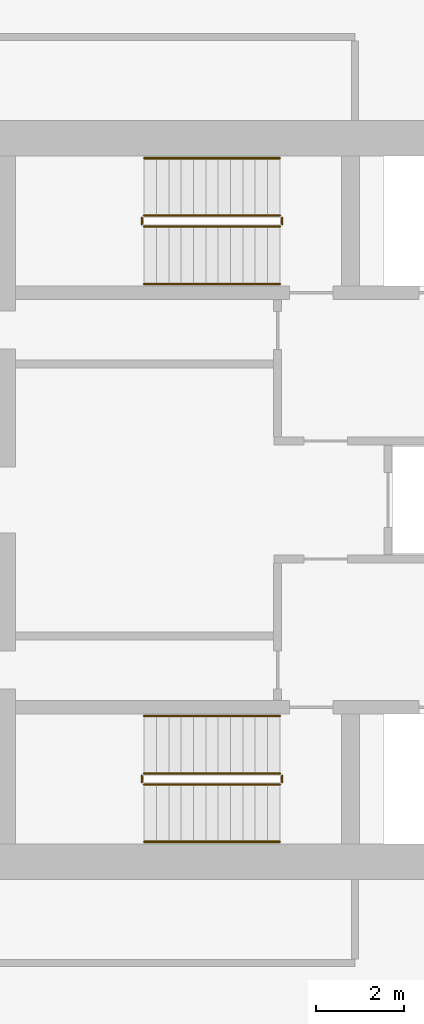
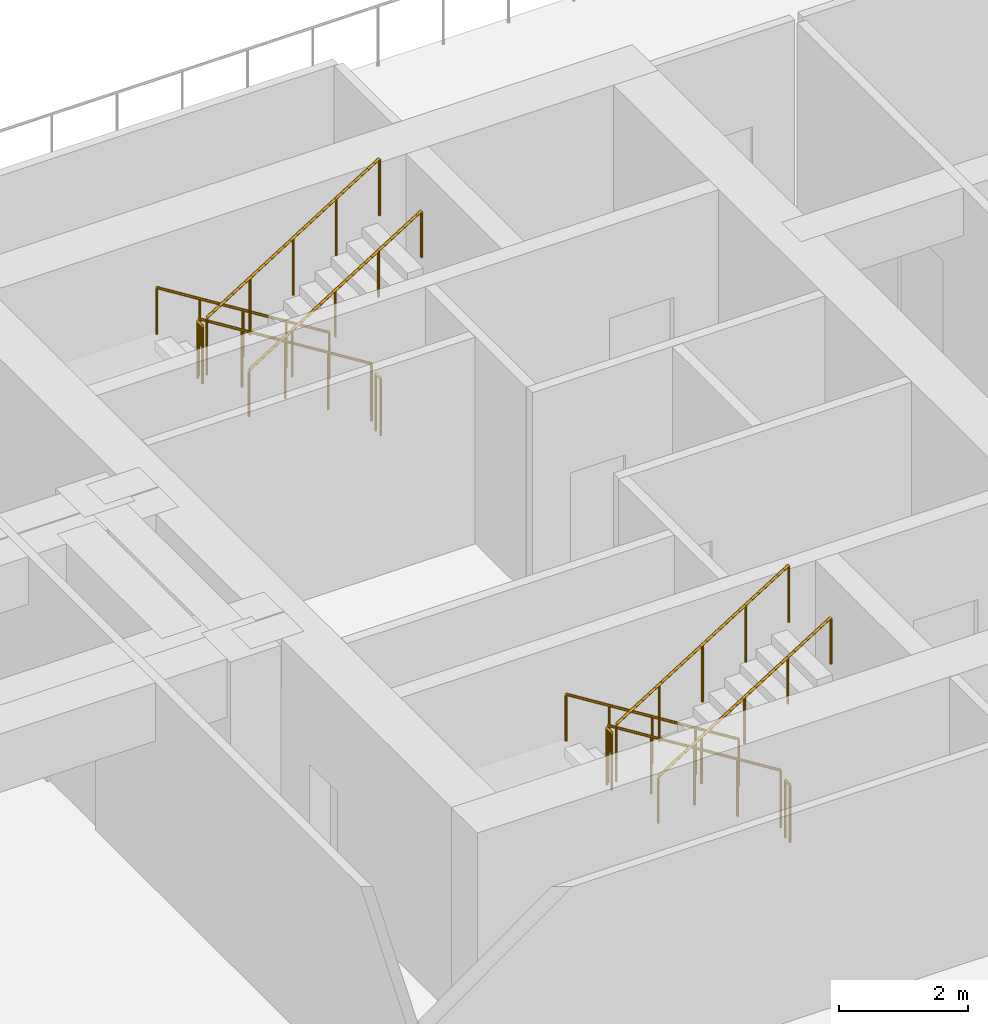
# One storey, part 9 of 10: 12 railings.
"""IFC4 building model written with IfcOpenShell, lengths in metres."""

from ifc_helpers import new_model, si_unit, direction, frame, origin, origin_2d, place, context, subcontext, project, spatial, circle, extrude, source, transform, mapped, material, type_object, element, save


model = new_model("IFC4")

# Units and contexts
model_context = context("Model", 3, precision=1e-05, world=origin(), true_north=direction((0.0, 1.0)))
body_context = subcontext(model_context, "Body", "Model", "MODEL_VIEW")
ifc_project = project(units=[si_unit("LENGTHUNIT", "METRE"), si_unit("AREAUNIT", "SQUARE_METRE"), si_unit("VOLUMEUNIT", "CUBIC_METRE"), si_unit("PLANEANGLEUNIT", "RADIAN"), si_unit("MASSUNIT", "GRAM", prefix="KILO")], contexts=[model_context])

# Site, building, storey
site_placement = place(None, origin())
site = spatial("IfcSite", under=ifc_project, at=site_placement, CompositionType="ELEMENT")
building_placement = place(site_placement, origin())
building = spatial("IfcBuilding", under=site, at=building_placement, Name="Qafzar Sky-Pleat Residences", CompositionType="ELEMENT")
storey_placement = place(building_placement, frame((0.0, 0.0, -4.199951171875)))
storey = spatial("IfcBuildingStorey", under=building, at=storey_placement, Name="B01", CompositionType="ELEMENT", Elevation=-4.199951171875)

# Railings
ifc_material_1 = material(Name="Painted Steel S355 stair guardrail", Category="steel")
railing_type_1 = type_object("IfcRailingType", Name="RAIL-STAIR-GUARD", PredefinedType="GUARDRAIL", material=ifc_material_1)
shared_shape_1 = source(origin(), body_context, "Body", "SweptSolid", [
    extrude(circle(Radius=0.02392578125, at=origin_2d()), frame((0.0, 0.0, 1.076171875), z_axis=(0.0, -1.0, 0.0), x_axis=(1.0, 0.0, 0.0)), (0.0, 0.0, 1.0), 0.14990234375),
    extrude(circle(Radius=0.02099609375, at=origin_2d()), origin(), (0.0, 0.0, 1.0), 1.052001953125),
    extrude(circle(Radius=0.02099609375, at=origin_2d()), frame((0.0, -0.14990234375, 0.0)), (0.0, 0.0, 1.0), 1.052001953125),
])
for number, where, name in (
    (1, (27.669921875, 19.75, 2.099853515625), "B01 ST1 stair guard 2"),
    (2, (30.85009765625, 19.75, 0.0), "B01 ST1 stair guard 4"),
    (3, (27.669921875, 32.39990234375, 2.099853515625), "B01 ST2 stair guard 2"),
    (4, (30.85009765625, 32.39990234375, 0.0), "B01 ST2 stair guard 4"),
):
    element("IfcRailing", number, at=place(storey_placement, frame(where)), inside=storey, type_object=railing_type_1, Name=name, PredefinedType="GUARDRAIL", context=body_context, shape_type="MappedRepresentation", body=[
        mapped(shared_shape_1, transform((0.0, 0.0, 0.0), x_axis=(1.0, 0.0, 0.0), y_axis=(0.0, 1.0, 0.0), z_axis=(0.0, 0.0, 1.0), scale=1.0)),
    ])
shared_shape_2 = source(origin(), body_context, "Body", "SweptSolid", [
    extrude(circle(Radius=0.02392578125, at=origin_2d()), frame((0.0, 0.0, 1.076171875), z_axis=(-0.848028513186, 0.0, 0.529950602248), x_axis=(0.0, -1.0, 0.0)), (0.0, 0.0, 1.0), 3.632080078125),
    extrude(circle(Radius=0.02099609375, at=origin_2d()), origin(), (0.0, 0.0, 1.0), 1.052001953125),
    extrude(circle(Radius=0.02099609375, at=origin_2d()), frame((-0.77001953125, 0.0, 0.481201171875)), (0.0, 0.0, 1.0), 1.052001953125),
    extrude(circle(Radius=0.02099609375, at=origin_2d()), frame((-1.5400390625, 0.0, 0.96240234375)), (0.0, 0.0, 1.0), 1.052001953125),
    extrude(circle(Radius=0.02099609375, at=origin_2d()), frame((-2.31005859375, 0.0, 1.443603515625)), (0.0, 0.0, 1.0), 1.052001953125),
    extrude(circle(Radius=0.02099609375, at=origin_2d()), frame((-3.080078125, 0.0, 1.9248046875)), (0.0, 0.0, 1.0), 1.052001953125),
])
for number, where, name in (
    (5, (30.800048828125, 19.800048828125, 0.175048828125), "B01 ST1 stair guard 1"),
    (6, (30.800048828125, 32.449951171875, 0.175048828125), "B01 ST2 stair guard 1"),
):
    element("IfcRailing", number, at=place(storey_placement, frame(where)), inside=storey, type_object=railing_type_1, Name=name, PredefinedType="GUARDRAIL", context=body_context, shape_type="MappedRepresentation", body=[
        mapped(shared_shape_2, transform((0.0, 0.0, 0.0), x_axis=(1.0, 0.0, 0.0), y_axis=(0.0, 1.0, 0.0), z_axis=(0.0, 0.0, 1.0), scale=1.0)),
    ])
shared_shape_3 = source(origin(), body_context, "Body", "SweptSolid", [
    extrude(circle(Radius=0.02392578125, at=origin_2d()), frame((0.0, 0.0, 1.076171875), z_axis=(0.847998304005, 0.0, 0.529998940003), x_axis=(0.0, 1.0, 0.0)), (0.0, 0.0, 1.0), 3.632080078125),
    extrude(circle(Radius=0.02099609375, at=origin_2d()), origin(), (0.0, 0.0, 1.0), 1.052001953125),
    extrude(circle(Radius=0.02099609375, at=origin_2d()), frame((0.77001953125, 0.0, 0.481201171875)), (0.0, 0.0, 1.0), 1.052001953125),
    extrude(circle(Radius=0.02099609375, at=origin_2d()), frame((1.5400390625, 0.0, 0.96240234375)), (0.0, 0.0, 1.0), 1.052001953125),
    extrude(circle(Radius=0.02099609375, at=origin_2d()), frame((2.31005859375, 0.0, 1.44384765625)), (0.0, 0.0, 1.0), 1.052001953125),
    extrude(circle(Radius=0.02099609375, at=origin_2d()), frame((3.080078125, 0.0, 1.925048828125)), (0.0, 0.0, 1.0), 1.052001953125),
])
for number, where, name in (
    (7, (27.719970703125, 19.550048828125, 2.27490234375), "B01 ST1 stair guard 3"),
    (8, (27.719970703125, 32.199951171875, 2.27490234375), "B01 ST2 stair guard 3"),
):
    element("IfcRailing", number, at=place(storey_placement, frame(where)), inside=storey, type_object=railing_type_1, Name=name, PredefinedType="GUARDRAIL", context=body_context, shape_type="MappedRepresentation", body=[
        mapped(shared_shape_3, transform((0.0, 0.0, 0.0), x_axis=(1.0, 0.0, 0.0), y_axis=(0.0, 1.0, 0.0), z_axis=(0.0, 0.0, 1.0), scale=1.0)),
    ])
ifc_material_2 = material(Name="Brushed stainless steel handrail", Category="steel")
railing_type_2 = type_object("IfcRailingType", Name="RAIL-STAIR-HAND", PredefinedType="HANDRAIL", material=ifc_material_2)
shared_shape_4 = source(origin(), body_context, "Body", "SweptSolid", [
    extrude(circle(Radius=0.02392578125, at=origin_2d()), frame((0.0, 0.0, 0.8759765625), z_axis=(-0.848028513186, 0.0, 0.529950602248), x_axis=(0.0, -1.0, 0.0)), (0.0, 0.0, 1.0), 3.632080078125),
    extrude(circle(Radius=0.02099609375, at=origin_2d()), origin(), (0.0, 0.0, 1.0), 0.851806640625),
    extrude(circle(Radius=0.02099609375, at=origin_2d()), frame((-0.77001953125, 0.0, 0.481201171875)), (0.0, 0.0, 1.0), 0.851806640625),
    extrude(circle(Radius=0.02099609375, at=origin_2d()), frame((-1.5400390625, 0.0, 0.96240234375)), (0.0, 0.0, 1.0), 0.851806640625),
    extrude(circle(Radius=0.02099609375, at=origin_2d()), frame((-2.31005859375, 0.0, 1.443603515625)), (0.0, 0.0, 1.0), 0.851806640625),
    extrude(circle(Radius=0.02099609375, at=origin_2d()), frame((-3.080078125, 0.0, 1.9248046875)), (0.0, 0.0, 1.0), 0.851806640625),
])
for number, where, name in (
    (9, (30.800048828125, 21.10009765625, 0.175048828125), "B01 ST1 stair handrail 1"),
    (10, (30.800048828125, 33.75, 0.175048828125), "B01 ST2 stair handrail 1"),
):
    element("IfcRailing", number, at=place(storey_placement, frame(where)), inside=storey, type_object=railing_type_2, Name=name, PredefinedType="HANDRAIL", context=body_context, shape_type="MappedRepresentation", body=[
        mapped(shared_shape_4, transform((0.0, 0.0, 0.0), x_axis=(1.0, 0.0, 0.0), y_axis=(0.0, 1.0, 0.0), z_axis=(0.0, 0.0, 1.0), scale=1.0)),
    ])
shared_shape_5 = source(origin(), body_context, "Body", "SweptSolid", [
    extrude(circle(Radius=0.02392578125, at=origin_2d()), frame((0.0, 0.0, 0.8759765625), z_axis=(0.847998304005, 0.0, 0.529998940003), x_axis=(0.0, 1.0, 0.0)), (0.0, 0.0, 1.0), 3.632080078125),
    extrude(circle(Radius=0.02099609375, at=origin_2d()), origin(), (0.0, 0.0, 1.0), 0.851806640625),
    extrude(circle(Radius=0.02099609375, at=origin_2d()), frame((0.77001953125, 0.0, 0.481201171875)), (0.0, 0.0, 1.0), 0.851806640625),
    extrude(circle(Radius=0.02099609375, at=origin_2d()), frame((1.5400390625, 0.0, 0.96240234375)), (0.0, 0.0, 1.0), 0.851806640625),
    extrude(circle(Radius=0.02099609375, at=origin_2d()), frame((2.31005859375, 0.0, 1.44384765625)), (0.0, 0.0, 1.0), 0.851806640625),
    extrude(circle(Radius=0.02099609375, at=origin_2d()), frame((3.080078125, 0.0, 1.925048828125)), (0.0, 0.0, 1.0), 0.851806640625),
])
for number, where, name in (
    (11, (27.719970703125, 18.25, 2.27490234375), "B01 ST1 stair handrail 2"),
    (12, (27.719970703125, 30.89990234375, 2.27490234375), "B01 ST2 stair handrail 2"),
):
    element("IfcRailing", number, at=place(storey_placement, frame(where)), inside=storey, type_object=railing_type_2, Name=name, PredefinedType="HANDRAIL", context=body_context, shape_type="MappedRepresentation", body=[
        mapped(shared_shape_5, transform((0.0, 0.0, 0.0), x_axis=(1.0, 0.0, 0.0), y_axis=(0.0, 1.0, 0.0), z_axis=(0.0, 0.0, 1.0), scale=1.0)),
    ])

save(model, "model.ifc")
